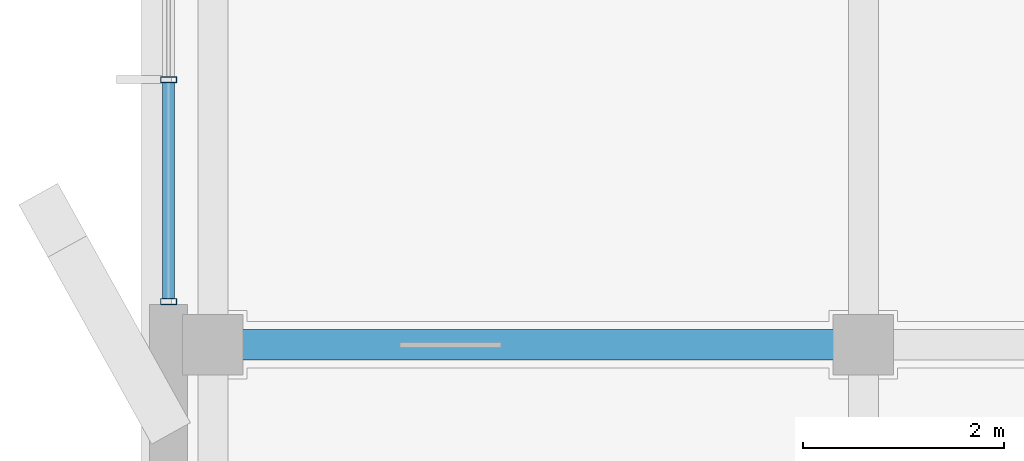
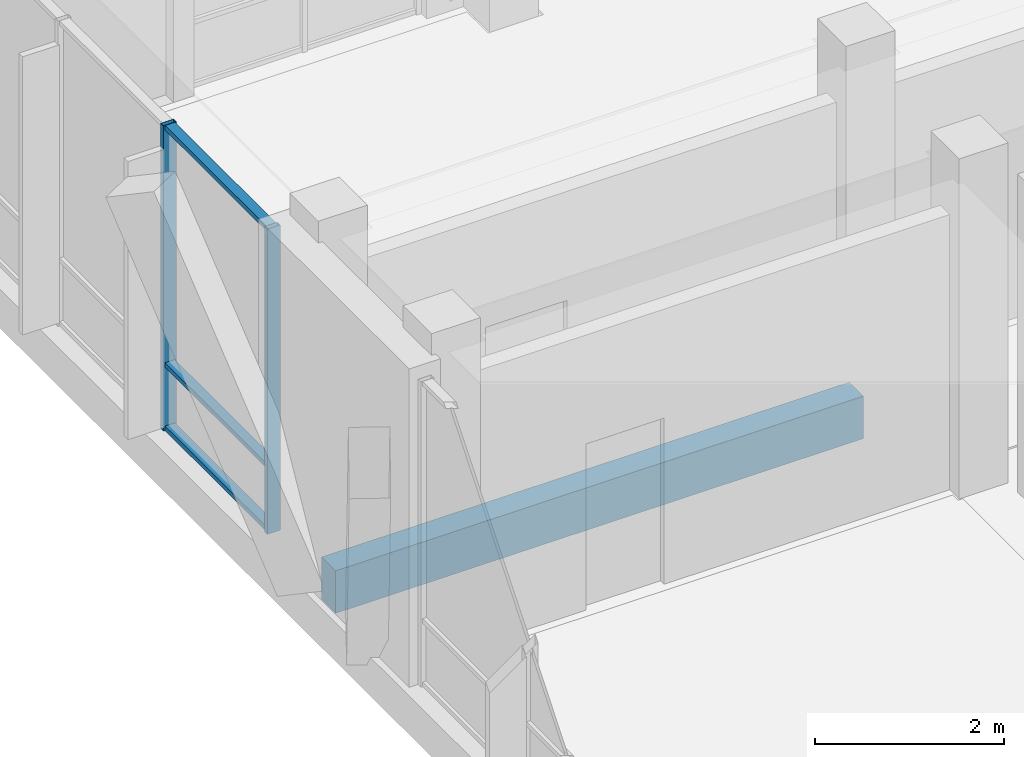
# One storey, part 98 of 233: 5 members, 1 beam, 1 element without a shape of its own.
"""IFC4 building model written with IfcOpenShell, lengths in metres."""

from ifc_helpers import new_model, si_unit, direction, frame, origin, origin_2d, place, context, subcontext, project, spatial, rectangle, hollow_rectangle, extrude, material, material_profile, profile_set, type_object, element, aggregate, save


model = new_model("IFC4")

# Units and contexts
model_context = context("Model", 3, precision=1e-05, world=origin(), true_north=direction((0.0, 1.0)))
body_context = subcontext(model_context, "Body", "Model", "MODEL_VIEW")
ifc_project = project(units=[si_unit("LENGTHUNIT", "METRE"), si_unit("AREAUNIT", "SQUARE_METRE"), si_unit("VOLUMEUNIT", "CUBIC_METRE"), si_unit("PLANEANGLEUNIT", "RADIAN"), si_unit("MASSUNIT", "GRAM", prefix="KILO")], contexts=[model_context])

# Site, building, storey
site_placement = place(None, origin())
site = spatial("IfcSite", under=ifc_project, at=site_placement, CompositionType="ELEMENT")
building_placement = place(site_placement, origin())
building = spatial("IfcBuilding", under=site, at=building_placement, Name="Zavelmont Quarter", CompositionType="ELEMENT")
storey_placement = place(building_placement, origin())
storey = spatial("IfcBuildingStorey", under=building, at=storey_placement, Name="L00", CompositionType="ELEMENT", Elevation=0.0)

# Beam
ifc_material_1 = material(Name="Concrete C35/45", Category="concrete")
ifc_material_profile_1 = material_profile(ifc_material_1, rectangle(XDim=0.300048828125, YDim=0.550048828125, at=origin_2d()), Name="RC300X550")
ifc_profile_set_1 = profile_set([ifc_material_profile_1], Name="Concrete C35/45")
beam_type = type_object("IfcBeamType", Name="BM02", PredefinedType="SPANDREL", material=ifc_profile_set_1)
beam_placement = place(storey_placement, frame((0.43994140625, 108.0, -0.594970703125), z_axis=(1.0, 0.0, 0.0), x_axis=(0.0, 1.0, 0.0)))
element("IfcBeam", 1, at=beam_placement, inside=storey, type_object=beam_type, Name="L00 beam BM02 1/R to 2/R", PredefinedType="SPANDREL", context=body_context, shape_type="SweptSolid", body=[
    extrude(rectangle(XDim=0.300048828125, YDim=0.550048828125, at=origin_2d()), origin(), (0.0, 0.0, 1.0), 6.4599609375),
])

# Curtain wall, members
ifc_material_2 = material(Name="Thermally broken aluminium and double low-E safety glazing", Category="aluminium")
curtain_wall_type = type_object("IfcCurtainWallType", Name="CW-670X395", PredefinedType="NOTDEFINED", material=ifc_material_2)
curtain_wall_placement = place(storey_placement, origin())
curtain_wall = element("IfcCurtainWall", 2, at=curtain_wall_placement, inside=storey, type_object=curtain_wall_type, Name="L00 unitised curtain wall CW-670X395", PredefinedType="NOTDEFINED")
ifc_material_3 = material(Name="Powder-coated aluminium EN AW-6063-T6", Category="aluminium")
ifc_material_profile_2 = material_profile(ifc_material_3, hollow_rectangle(XDim=0.06005859375, YDim=0.159912109375, WallThickness=0.00390625, at=origin_2d()), Name="CWM60X160")
ifc_profile_set_2 = profile_set([ifc_material_profile_2], Name="Powder-coated aluminium EN AW-6063-T6")
member_type_1 = type_object("IfcMemberType", Name="CWM01", PredefinedType="MULLION", material=ifc_profile_set_2)
member_1_placement = place(storey_placement, frame((0.0, 108.429931640625, 0.0), z_axis=(0.0, 0.0, 1.0), x_axis=(0.0, 1.0, 0.0)))
member_1 = element("IfcMember", 3, at=member_1_placement, type_object=member_type_1, Name="CW-670X395 mullion 1", PredefinedType="MULLION", context=body_context, shape_type="SweptSolid", body=[
    extrude(hollow_rectangle(XDim=0.06005859375, YDim=0.159912109375, WallThickness=0.00390625, at=origin_2d()), origin(), (0.0, 0.0, 1.0), 3.949951171875),
])
member_2_placement = place(storey_placement, frame((0.0, 110.63330078125, 0.0), z_axis=(0.0, 0.0, 1.0), x_axis=(0.0, 1.0, 0.0)))
member_2 = element("IfcMember", 4, at=member_2_placement, type_object=member_type_1, Name="CW-670X395 mullion 2", PredefinedType="MULLION", context=body_context, shape_type="SweptSolid", body=[
    extrude(hollow_rectangle(XDim=0.06005859375, YDim=0.159912109375, WallThickness=0.00390625, at=origin_2d()), origin(), (0.0, 0.0, 1.0), 3.949951171875),
])
ifc_material_profile_3 = material_profile(ifc_material_3, hollow_rectangle(XDim=0.1201171875, YDim=0.06005859375, WallThickness=0.00390625, at=origin_2d()), Name="CWT60X120")
ifc_profile_set_3 = profile_set([ifc_material_profile_3], Name="Powder-coated aluminium EN AW-6063-T6")
member_type_2 = type_object("IfcMemberType", Name="CWT01", PredefinedType="NOTDEFINED", material=ifc_profile_set_3)
member_3_placement = place(storey_placement, frame((0.0, 108.4599609375, 0.030029296875), z_axis=(0.0, 1.0, 0.0), x_axis=(-1.0, 0.0, 0.0)))
member_3 = element("IfcMember", 5, at=member_3_placement, type_object=member_type_2, Name="CW-670X395 transom 1.1", ObjectType="TRANSOM", PredefinedType="USERDEFINED", context=body_context, shape_type="SweptSolid", body=[
    extrude(hollow_rectangle(XDim=0.1201171875, YDim=0.06005859375, WallThickness=0.00390625, at=origin_2d()), origin(), (0.0, 0.0, 1.0), 2.143310546875),
])
member_4_placement = place(storey_placement, frame((0.0, 108.4599609375, 0.85009765625), z_axis=(0.0, 1.0, 0.0), x_axis=(-1.0, 0.0, 0.0)))
member_4 = element("IfcMember", 6, at=member_4_placement, type_object=member_type_2, Name="CW-670X395 transom 1.2", ObjectType="TRANSOM", PredefinedType="USERDEFINED", context=body_context, shape_type="SweptSolid", body=[
    extrude(hollow_rectangle(XDim=0.1201171875, YDim=0.06005859375, WallThickness=0.00390625, at=origin_2d()), origin(), (0.0, 0.0, 1.0), 2.143310546875),
])
member_5_placement = place(storey_placement, frame((0.0, 108.4599609375, 3.919921875), z_axis=(0.0, 1.0, 0.0), x_axis=(-1.0, 0.0, 0.0)))
member_5 = element("IfcMember", 7, at=member_5_placement, type_object=member_type_2, Name="CW-670X395 transom 1.3", ObjectType="TRANSOM", PredefinedType="USERDEFINED", context=body_context, shape_type="SweptSolid", body=[
    extrude(hollow_rectangle(XDim=0.1201171875, YDim=0.06005859375, WallThickness=0.00390625, at=origin_2d()), origin(), (0.0, 0.0, 1.0), 2.143310546875),
])
aggregate(curtain_wall, [member_1, member_2, member_3, member_4, member_5])

save(model, "model.ifc")
